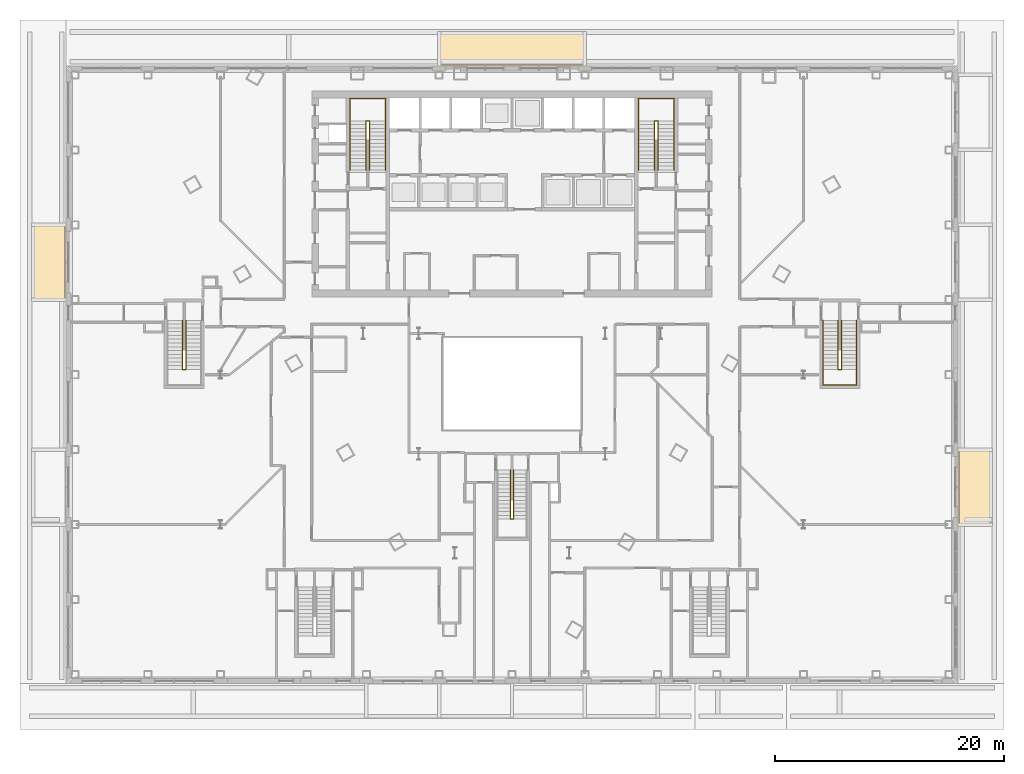
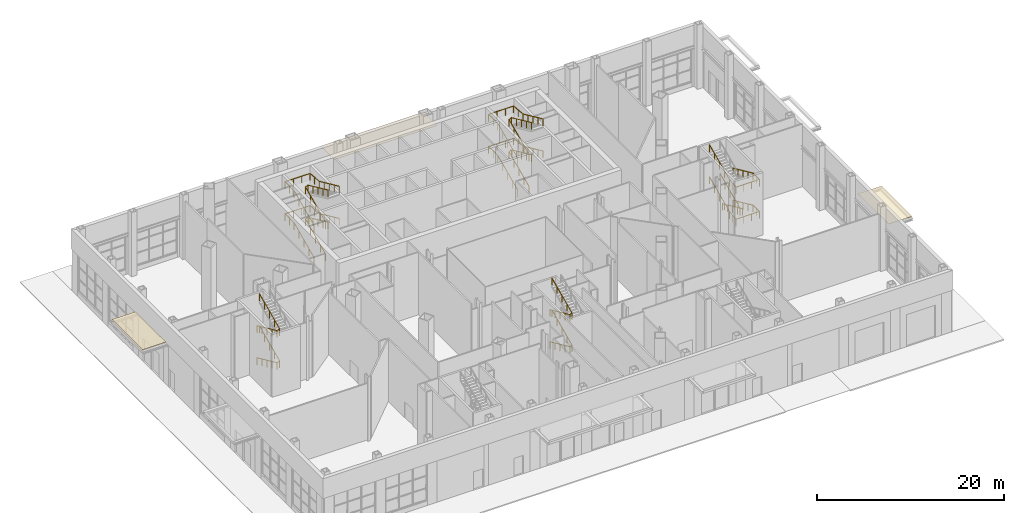
# One storey, part 32 of 34: 15 railings, 3 coverings.
"""IFC4 building model written with IfcOpenShell, lengths in metres."""

import ifcopenshell
import ifcopenshell.guid

model = None  # the IFC model being written
_history = None  # IfcOwnerHistory: only IFC2X3 demands one
_inside = {}  # id of a spatial element -> (the spatial element, [elements in it])
_under = {}  # id of a project, library or spatial element -> (it, [spatial elements below it])
_declared = {}  # id of a project -> (the project, [libraries it declares])
_typed = {}  # id of a type object -> (the type object, [elements of that type])
_made_of = {}  # id of a material, layer set ... -> (it, [elements and type objects made of it])


def new_model(schema):
    """Start an empty IFC model of exactly this schema.

    Asked for "IFC4X3", IfcOpenShell would pick the latest addendum, in which some entities
    have other attributes; the version numbers below select the first issue.
    IFC2X3 requires an IfcOwnerHistory on every rooted entity: one is made here for all.
    """
    global model, _history
    if schema == "IFC4X3":
        model = ifcopenshell.file(schema_version=(4, 3, 0, 0))
    else:
        model = ifcopenshell.file(schema=schema)
    _inside.clear()
    _under.clear()
    _declared.clear()
    _typed.clear()
    _made_of.clear()
    _history = None
    if model.schema == "IFC2X3":
        org = make("IfcOrganization", Name="unknown")
        user = make(
            "IfcPersonAndOrganization",
            ThePerson=make("IfcPerson", FamilyName="unknown"),
            TheOrganization=org,
        )
        app = make(
            "IfcApplication",
            ApplicationDeveloper=org,
            Version="unknown",
            ApplicationFullName="unknown",
            ApplicationIdentifier="unknown",
        )
        _history = make(
            "IfcOwnerHistory",
            OwningUser=user,
            OwningApplication=app,
            ChangeAction="ADDED",
            CreationDate=0,
        )
    return model


def make(cls, **values):
    """One entity of the class cls with the attributes given. An attribute that is None is left unset."""
    return model.create_entity(
        cls, **{name: value for name, value in values.items() if value is not None}
    )


def rooted(cls, **values):
    """An entity with a GlobalId (a new one), such as an element, a storey or a relation."""
    return make(cls, GlobalId=ifcopenshell.guid.new(), OwnerHistory=_history, **values)


def si_unit(unit_type, name, prefix=None):
    """IfcSIUnit, for example si_unit("LENGTHUNIT", "METRE", prefix="MILLI")."""
    return make("IfcSIUnit", UnitType=unit_type, Prefix=prefix, Name=name)


def assignment(units):
    """IfcUnitAssignment: the units of a project."""
    return None if units is None else make("IfcUnitAssignment", Units=units)


def point(xyz):
    """IfcCartesianPoint."""
    return None if xyz is None else make("IfcCartesianPoint", Coordinates=xyz)


def direction(xyz):
    """IfcDirection."""
    return None if xyz is None else make("IfcDirection", DirectionRatios=xyz)


def frame(location, z_axis=None, x_axis=None):
    """IfcAxis2Placement3D, a coordinate frame: its origin and axes. An axis left out is left unset."""
    return make(
        "IfcAxis2Placement3D",
        Location=point(location),
        Axis=direction(z_axis),
        RefDirection=direction(x_axis),
    )


def frame_2d(location, x_axis=None):
    """IfcAxis2Placement2D, a coordinate frame in the plane: its origin and x axis."""
    return make(
        "IfcAxis2Placement2D", Location=point(location), RefDirection=direction(x_axis)
    )


def origin():
    """The frame at (0, 0, 0) with its axes left unset."""
    return frame((0.0, 0.0, 0.0))


def origin_2d():
    """The frame at (0, 0) in the plane with its x axis left unset."""
    return frame_2d((0.0, 0.0))


def place(relative_to, where):
    """IfcLocalPlacement: puts the frame where relative to a parent placement (None: the world)."""
    return make(
        "IfcLocalPlacement", PlacementRelTo=relative_to, RelativePlacement=where
    )


def context(
    kind, dimensions, precision=None, world=None, true_north=None, identifier=None
):
    """IfcGeometricRepresentationContext, for example the 3D "Model" context."""
    return make(
        "IfcGeometricRepresentationContext",
        ContextIdentifier=identifier,
        ContextType=kind,
        CoordinateSpaceDimension=dimensions,
        Precision=precision,
        WorldCoordinateSystem=world,
        TrueNorth=true_north,
    )


def subcontext(parent, identifier, kind, view, scale=None):
    """IfcGeometricRepresentationSubContext, for example "Body" below "Model"."""
    return make(
        "IfcGeometricRepresentationSubContext",
        ContextIdentifier=identifier,
        ContextType=kind,
        ParentContext=parent,
        TargetScale=scale,
        TargetView=view,
    )


def project(units=None, contexts=None):
    """IfcProject with its units and contexts."""
    return rooted(
        "IfcProject",
        Name="project",
        RepresentationContexts=contexts,
        UnitsInContext=assignment(units),
    )


def spatial(cls, under=None, at=None, **own):
    """A site, building, storey or space (cls), placed at a placement, below another one or the project."""
    s = rooted(cls, ObjectPlacement=at, **own)
    if under is not None:
        _under.setdefault(under.id(), (under, []))[1].append(s)
    return s


def polyline(points):
    """IfcPolyline through the points."""
    return make("IfcPolyline", Points=[point(p) for p in points])


def profile(cls, at=None, kind="AREA", **sizes):
    """A parametric profile (cls). Its sizes go by their IFC names, for example OverallWidth=200.0."""
    return make(cls, ProfileType=kind, Position=at, **sizes)


def circle(**sizes):
    """IfcCircleProfileDef."""
    return profile("IfcCircleProfileDef", **sizes)


def outline(outer, holes=None, kind="AREA"):
    """IfcArbitraryClosedProfileDef: a profile drawn as a closed curve; with holes, ...WithVoids."""
    if holes is None:
        return make("IfcArbitraryClosedProfileDef", ProfileType=kind, OuterCurve=outer)
    return make(
        "IfcArbitraryProfileDefWithVoids",
        ProfileType=kind,
        OuterCurve=outer,
        InnerCurves=holes,
    )


def extrude(swept, where, along, depth):
    """IfcExtrudedAreaSolid: the profile swept, set in the frame where, extruded along a direction by depth."""
    return make(
        "IfcExtrudedAreaSolid",
        SweptArea=swept,
        Position=where,
        ExtrudedDirection=direction(along),
        Depth=depth,
    )


def shape(context_of_items, identifier, shape_type, items):
    """IfcShapeRepresentation: the items that make up one representation, for example the "Body"."""
    return make(
        "IfcShapeRepresentation",
        ContextOfItems=context_of_items,
        RepresentationIdentifier=identifier,
        RepresentationType=shape_type,
        Items=items,
    )


def material(Name=None, Category=None):
    """IfcMaterial."""
    return make("IfcMaterial", Name=Name, Category=Category)


def layer(
    of_material, thickness, ventilated=None, Name=None, Category=None, Priority=None
):
    """IfcMaterialLayer: one layer of a wall or slab, of a material (None: an air gap)."""
    return make(
        "IfcMaterialLayer",
        Material=of_material,
        LayerThickness=thickness,
        IsVentilated=ventilated,
        Name=Name,
        Category=Category,
        Priority=Priority,
    )


def layer_set(layers, Name=None):
    """IfcMaterialLayerSet."""
    return make("IfcMaterialLayerSet", MaterialLayers=layers, LayerSetName=Name)


def made_of(thing, what):
    """Note that an element or type object is made of a material, layer set ...; save() writes the relation."""
    if what is not None:
        _made_of.setdefault(what.id(), (what, []))[1].append(thing)
    return thing


def type_object(cls, material=None, **own):
    """A type object (cls), such as IfcWallType, which elements share."""
    return made_of(rooted(cls, **own), material)


def element(
    cls,
    number,
    at=None,
    inside=None,
    cuts=None,
    type_object=None,
    material=None,
    context=None,
    identifier="Body",
    shape_type=None,
    held_by="IfcProductDefinitionShape",
    body=None,
    shapes=None,
    **own,
):
    """One element of the class cls, such as IfcWall. Its Tag is "e" and its number.

    at: its placement. inside: the storey or other place that contains it. cuts: it is an
    opening in that element (IfcRelVoidsElement). A single representation is given by context,
    identifier, shape_type and body (its items); several are given by shapes. held_by: the class
    of the entity that holds the representations. save() writes the other relations.
    """
    e = rooted(cls, Tag="e%d" % number, ObjectPlacement=at, **own)
    if body is not None:
        shapes = [shape(context, identifier, shape_type, body)]
    if shapes is not None:
        e.Representation = make(held_by, Representations=shapes)
    if inside is not None:
        _inside.setdefault(inside.id(), (inside, []))[1].append(e)
    if cuts is not None:
        rooted(
            "IfcRelVoidsElement", RelatingBuildingElement=cuts, RelatedOpeningElement=e
        )
    if type_object is not None:
        _typed.setdefault(type_object.id(), (type_object, []))[1].append(e)
    return made_of(e, material)


def aggregate(whole, parts):
    """IfcRelAggregates: a whole, such as a stair, and the parts it consists of."""
    return rooted("IfcRelAggregates", RelatingObject=whole, RelatedObjects=parts)


def save(model, path):
    """Write the relations noted so far, then the file.

    IfcRelAggregates (storeys below a building ...), IfcRelContainedInSpatialStructure (elements
    in a storey), IfcRelDefinesByType, IfcRelAssociatesMaterial and IfcRelDeclares: one each for
    every whole, place, type object, material and project.
    """
    for whole, parts in _under.values():
        aggregate(whole, parts)
    for where, things in _inside.values():
        rooted(
            "IfcRelContainedInSpatialStructure",
            RelatedElements=things,
            RelatingStructure=where,
        )
    for kind, things in _typed.values():
        rooted("IfcRelDefinesByType", RelatedObjects=things, RelatingType=kind)
    for what, things in _made_of.values():
        rooted("IfcRelAssociatesMaterial", RelatedObjects=things, RelatingMaterial=what)
    for by, libraries in _declared.values():
        rooted("IfcRelDeclares", RelatingContext=by, RelatedDefinitions=libraries)
    model.write(path)


model = new_model("IFC4")

# Units and contexts
model_context = context("Model", 3, precision=1e-05, world=origin(), true_north=direction((0.0, 1.0)))
body_context = subcontext(model_context, "Body", "Model", "MODEL_VIEW")
ifc_project = project(units=[si_unit("LENGTHUNIT", "METRE"), si_unit("AREAUNIT", "SQUARE_METRE"), si_unit("VOLUMEUNIT", "CUBIC_METRE"), si_unit("PLANEANGLEUNIT", "RADIAN"), si_unit("MASSUNIT", "GRAM", prefix="KILO")], contexts=[model_context])

# Site, building, storey
site_placement = place(None, origin())
site = spatial("IfcSite", under=ifc_project, at=site_placement, CompositionType="ELEMENT")
building_placement = place(site_placement, origin())
building = spatial("IfcBuilding", under=site, at=building_placement, Name="Njiva Tower", CompositionType="ELEMENT")
storey_placement = place(building_placement, origin())
storey = spatial("IfcBuildingStorey", under=building, at=storey_placement, Name="L00", CompositionType="ELEMENT", Elevation=0.0)

# Coverings
ifc_material_1 = material(Name="Roofing membrane and ballast", Category="membrane")
ifc_layer = layer(ifc_material_1, 0.05)
ifc_layer_set = layer_set([ifc_layer], Name="Roofing membrane and ballast")
covering_type = type_object("IfcCoveringType", Name="RF90 Canopy roof finish 50", PredefinedType="ROOFING", material=ifc_layer_set)
covering_1_placement = place(storey_placement, frame((0.0, 0.0, 5.55)))
element("IfcCovering", 1, at=covering_1_placement, inside=storey, type_object=covering_type, Name="Canopy roof finish", PredefinedType="ROOFING", context=body_context, shape_type="SweptSolid", body=[
    extrude(outline(polyline([(39.05, -19.9), (39.05, -13.35), (41.95, -13.35), (41.95, -19.9), (39.05, -19.9)])), origin(), (0.0, 0.0, 1.0), 0.05),
])
covering_2_placement = place(storey_placement, frame((0.0, 0.0, 5.55)))
element("IfcCovering", 2, at=covering_2_placement, inside=storey, type_object=covering_type, Name="Canopy roof finish", PredefinedType="ROOFING", context=body_context, shape_type="SweptSolid", body=[
    extrude(outline(polyline([(6.3667, 20.25), (-6.3667, 20.25), (-6.3667, 23.15), (6.3667, 23.15), (6.3667, 20.25)])), origin(), (0.0, 0.0, 1.0), 0.05),
])
covering_3_placement = place(storey_placement, frame((0.0, 0.0, 5.55)))
element("IfcCovering", 3, at=covering_3_placement, inside=storey, type_object=covering_type, Name="Canopy roof finish", PredefinedType="ROOFING", context=body_context, shape_type="SweptSolid", body=[
    extrude(outline(polyline([(-39.05, 6.3), (-39.05, -0.25), (-41.95, -0.25), (-41.95, 6.3), (-39.05, 6.3)])), origin(), (0.0, 0.0, 1.0), 0.05),
])

# Railings
ifc_material_2 = material(Name="Stainless steel", Category="steel")
railing_type = type_object("IfcRailingType", Name="RL1 Stair handrail 900", PredefinedType="HANDRAIL", material=ifc_material_2)
railing_1_placement = place(storey_placement, frame((-14.15, 11.1, 0.15)))
element("IfcRailing", 4, at=railing_1_placement, inside=storey, type_object=railing_type, Name="Stair A handrail", PredefinedType="HANDRAIL", context=body_context, shape_type="SweptSolid", body=[
    extrude(circle(Radius=0.024, at=origin_2d()), frame((0.0, 0.0, 0.876), z_axis=(0.0, 0.910366477463, 0.413802944301), x_axis=(-1.0, 0.0, 0.0)), (0.0, 0.0, 1.0), 4.7124),
    extrude(circle(Radius=0.024, at=origin_2d()), frame((0.0, 4.29, 2.826), z_axis=(0.0, 1.0, 0.0), x_axis=(-1.0, 0.0, 0.0)), (0.0, 0.0, 1.0), 1.96),
    extrude(circle(Radius=0.024, at=origin_2d()), frame((0.0, 6.25, 2.826), z_axis=(1.0, 0.0, 0.0), x_axis=(0.0, 1.0, 0.0)), (0.0, 0.0, 1.0), 3.1),
    extrude(circle(Radius=0.024, at=origin_2d()), frame((3.1, 6.25, 2.826), z_axis=(0.0, -0.99708433411, 0.076307474549), x_axis=(1.0, 0.0, 0.0)), (0.0, 0.0, 1.0), 1.9657),
    extrude(circle(Radius=0.024, at=origin_2d()), frame((3.1, 4.29, 2.976), z_axis=(0.0, -0.910366477463, 0.413802944301), x_axis=(1.0, 0.0, 0.0)), (0.0, 0.0, 1.0), 4.7124),
    extrude(circle(Radius=0.021, at=origin_2d()), origin(), (0.0, 0.0, 1.0), 0.852),
    extrude(circle(Radius=0.021, at=origin_2d()), frame((0.0, 1.0725, 0.4875)), (0.0, 0.0, 1.0), 0.852),
    extrude(circle(Radius=0.021, at=origin_2d()), frame((0.0, 2.145, 0.975)), (0.0, 0.0, 1.0), 0.852),
    extrude(circle(Radius=0.021, at=origin_2d()), frame((0.0, 3.2175, 1.4625)), (0.0, 0.0, 1.0), 0.852),
    extrude(circle(Radius=0.021, at=origin_2d()), frame((0.0, 4.29, 1.95)), (0.0, 0.0, 1.0), 0.852),
    extrude(circle(Radius=0.021, at=origin_2d()), frame((0.0, 5.27, 1.95)), (0.0, 0.0, 1.0), 0.852),
    extrude(circle(Radius=0.021, at=origin_2d()), frame((0.0, 6.25, 1.95)), (0.0, 0.0, 1.0), 0.852),
    extrude(circle(Radius=0.021, at=origin_2d()), frame((1.0333, 6.25, 1.95)), (0.0, 0.0, 1.0), 0.852),
    extrude(circle(Radius=0.021, at=origin_2d()), frame((2.0667, 6.25, 1.95)), (0.0, 0.0, 1.0), 0.852),
    extrude(circle(Radius=0.021, at=origin_2d()), frame((3.1, 6.25, 1.95)), (0.0, 0.0, 1.0), 0.852),
    extrude(circle(Radius=0.021, at=origin_2d()), frame((3.1, 5.27, 2.025)), (0.0, 0.0, 1.0), 0.852),
    extrude(circle(Radius=0.021, at=origin_2d()), frame((3.1, 4.29, 2.1)), (0.0, 0.0, 1.0), 0.852),
    extrude(circle(Radius=0.021, at=origin_2d()), frame((3.1, 3.2175, 2.5875)), (0.0, 0.0, 1.0), 0.852),
    extrude(circle(Radius=0.021, at=origin_2d()), frame((3.1, 2.145, 3.075)), (0.0, 0.0, 1.0), 0.852),
    extrude(circle(Radius=0.021, at=origin_2d()), frame((3.1, 1.0725, 3.5625)), (0.0, 0.0, 1.0), 0.852),
    extrude(circle(Radius=0.021, at=origin_2d()), frame((3.1, 0.0, 4.05)), (0.0, 0.0, 1.0), 0.852),
])
railing_2_placement = place(storey_placement, frame((-12.75, 11.1, 0.15)))
element("IfcRailing", 5, at=railing_2_placement, inside=storey, type_object=railing_type, Name="Stair A handrail", PredefinedType="HANDRAIL", context=body_context, shape_type="SweptSolid", body=[
    extrude(circle(Radius=0.024, at=origin_2d()), frame((0.0, 0.0, 0.876), z_axis=(0.0, 0.910366477463, 0.413802944301), x_axis=(-1.0, 0.0, 0.0)), (0.0, 0.0, 1.0), 4.7124),
    extrude(circle(Radius=0.024, at=origin_2d()), frame((0.0, 4.29, 2.826), z_axis=(0.894427191, 0.0, 0.4472135955), x_axis=(0.0, 1.0, 0.0)), (0.0, 0.0, 1.0), 0.3354),
    extrude(circle(Radius=0.024, at=origin_2d()), frame((0.3, 4.29, 2.976), z_axis=(0.0, -0.910366477463, 0.413802944301), x_axis=(1.0, 0.0, 0.0)), (0.0, 0.0, 1.0), 4.7124),
    extrude(circle(Radius=0.021, at=origin_2d()), origin(), (0.0, 0.0, 1.0), 0.852),
    extrude(circle(Radius=0.021, at=origin_2d()), frame((0.0, 1.0725, 0.4875)), (0.0, 0.0, 1.0), 0.852),
    extrude(circle(Radius=0.021, at=origin_2d()), frame((0.0, 2.145, 0.975)), (0.0, 0.0, 1.0), 0.852),
    extrude(circle(Radius=0.021, at=origin_2d()), frame((0.0, 3.2175, 1.4625)), (0.0, 0.0, 1.0), 0.852),
    extrude(circle(Radius=0.021, at=origin_2d()), frame((0.0, 4.29, 1.95)), (0.0, 0.0, 1.0), 0.852),
    extrude(circle(Radius=0.021, at=origin_2d()), frame((0.3, 4.29, 2.1)), (0.0, 0.0, 1.0), 0.852),
    extrude(circle(Radius=0.021, at=origin_2d()), frame((0.3, 3.2175, 2.5875)), (0.0, 0.0, 1.0), 0.852),
    extrude(circle(Radius=0.021, at=origin_2d()), frame((0.3, 2.145, 3.075)), (0.0, 0.0, 1.0), 0.852),
    extrude(circle(Radius=0.021, at=origin_2d()), frame((0.3, 1.0725, 3.5625)), (0.0, 0.0, 1.0), 0.852),
    extrude(circle(Radius=0.021, at=origin_2d()), frame((0.3, 0.0, 4.05)), (0.0, 0.0, 1.0), 0.852),
])
railing_3_placement = place(storey_placement, frame((-14.15, 11.1, 4.35)))
element("IfcRailing", 6, at=railing_3_placement, inside=storey, type_object=railing_type, Name="Stair A handrail", PredefinedType="HANDRAIL", context=body_context, shape_type="SweptSolid", body=[
    extrude(circle(Radius=0.024, at=origin_2d()), frame((0.0, 0.0, 0.876), z_axis=(0.0, 0.910366477463, 0.413802944301), x_axis=(-1.0, 0.0, 0.0)), (0.0, 0.0, 1.0), 4.7124),
    extrude(circle(Radius=0.024, at=origin_2d()), frame((0.0, 4.29, 2.826), z_axis=(0.0, 1.0, 0.0), x_axis=(-1.0, 0.0, 0.0)), (0.0, 0.0, 1.0), 1.96),
    extrude(circle(Radius=0.024, at=origin_2d()), frame((0.0, 6.25, 2.826), z_axis=(1.0, 0.0, 0.0), x_axis=(0.0, 1.0, 0.0)), (0.0, 0.0, 1.0), 3.1),
    extrude(circle(Radius=0.024, at=origin_2d()), frame((3.1, 6.25, 2.826), z_axis=(0.0, -0.99708433411, 0.076307474549), x_axis=(1.0, 0.0, 0.0)), (0.0, 0.0, 1.0), 1.9657),
    extrude(circle(Radius=0.024, at=origin_2d()), frame((3.1, 4.29, 2.976), z_axis=(0.0, -0.910366477463, 0.413802944301), x_axis=(1.0, 0.0, 0.0)), (0.0, 0.0, 1.0), 4.7124),
    extrude(circle(Radius=0.021, at=origin_2d()), origin(), (0.0, 0.0, 1.0), 0.852),
    extrude(circle(Radius=0.021, at=origin_2d()), frame((0.0, 1.0725, 0.4875)), (0.0, 0.0, 1.0), 0.852),
    extrude(circle(Radius=0.021, at=origin_2d()), frame((0.0, 2.145, 0.975)), (0.0, 0.0, 1.0), 0.852),
    extrude(circle(Radius=0.021, at=origin_2d()), frame((0.0, 3.2175, 1.4625)), (0.0, 0.0, 1.0), 0.852),
    extrude(circle(Radius=0.021, at=origin_2d()), frame((0.0, 4.29, 1.95)), (0.0, 0.0, 1.0), 0.852),
    extrude(circle(Radius=0.021, at=origin_2d()), frame((0.0, 5.27, 1.95)), (0.0, 0.0, 1.0), 0.852),
    extrude(circle(Radius=0.021, at=origin_2d()), frame((0.0, 6.25, 1.95)), (0.0, 0.0, 1.0), 0.852),
    extrude(circle(Radius=0.021, at=origin_2d()), frame((1.0333, 6.25, 1.95)), (0.0, 0.0, 1.0), 0.852),
    extrude(circle(Radius=0.021, at=origin_2d()), frame((2.0667, 6.25, 1.95)), (0.0, 0.0, 1.0), 0.852),
    extrude(circle(Radius=0.021, at=origin_2d()), frame((3.1, 6.25, 1.95)), (0.0, 0.0, 1.0), 0.852),
    extrude(circle(Radius=0.021, at=origin_2d()), frame((3.1, 5.27, 2.025)), (0.0, 0.0, 1.0), 0.852),
    extrude(circle(Radius=0.021, at=origin_2d()), frame((3.1, 4.29, 2.1)), (0.0, 0.0, 1.0), 0.852),
    extrude(circle(Radius=0.021, at=origin_2d()), frame((3.1, 3.2175, 2.5875)), (0.0, 0.0, 1.0), 0.852),
    extrude(circle(Radius=0.021, at=origin_2d()), frame((3.1, 2.145, 3.075)), (0.0, 0.0, 1.0), 0.852),
    extrude(circle(Radius=0.021, at=origin_2d()), frame((3.1, 1.0725, 3.5625)), (0.0, 0.0, 1.0), 0.852),
    extrude(circle(Radius=0.021, at=origin_2d()), frame((3.1, 0.0, 4.05)), (0.0, 0.0, 1.0), 0.852),
])
railing_4_placement = place(storey_placement, frame((-12.75, 11.1, 4.35)))
element("IfcRailing", 7, at=railing_4_placement, inside=storey, type_object=railing_type, Name="Stair A handrail", PredefinedType="HANDRAIL", context=body_context, shape_type="SweptSolid", body=[
    extrude(circle(Radius=0.024, at=origin_2d()), frame((0.0, 0.0, 0.876), z_axis=(0.0, 0.910366477463, 0.413802944301), x_axis=(-1.0, 0.0, 0.0)), (0.0, 0.0, 1.0), 4.7124),
    extrude(circle(Radius=0.024, at=origin_2d()), frame((0.0, 4.29, 2.826), z_axis=(0.894427191, 0.0, 0.4472135955), x_axis=(0.0, 1.0, 0.0)), (0.0, 0.0, 1.0), 0.3354),
    extrude(circle(Radius=0.024, at=origin_2d()), frame((0.3, 4.29, 2.976), z_axis=(0.0, -0.910366477463, 0.413802944301), x_axis=(1.0, 0.0, 0.0)), (0.0, 0.0, 1.0), 4.7124),
    extrude(circle(Radius=0.021, at=origin_2d()), origin(), (0.0, 0.0, 1.0), 0.852),
    extrude(circle(Radius=0.021, at=origin_2d()), frame((0.0, 1.0725, 0.4875)), (0.0, 0.0, 1.0), 0.852),
    extrude(circle(Radius=0.021, at=origin_2d()), frame((0.0, 2.145, 0.975)), (0.0, 0.0, 1.0), 0.852),
    extrude(circle(Radius=0.021, at=origin_2d()), frame((0.0, 3.2175, 1.4625)), (0.0, 0.0, 1.0), 0.852),
    extrude(circle(Radius=0.021, at=origin_2d()), frame((0.0, 4.29, 1.95)), (0.0, 0.0, 1.0), 0.852),
    extrude(circle(Radius=0.021, at=origin_2d()), frame((0.3, 4.29, 2.1)), (0.0, 0.0, 1.0), 0.852),
    extrude(circle(Radius=0.021, at=origin_2d()), frame((0.3, 3.2175, 2.5875)), (0.0, 0.0, 1.0), 0.852),
    extrude(circle(Radius=0.021, at=origin_2d()), frame((0.3, 2.145, 3.075)), (0.0, 0.0, 1.0), 0.852),
    extrude(circle(Radius=0.021, at=origin_2d()), frame((0.3, 1.0725, 3.5625)), (0.0, 0.0, 1.0), 0.852),
    extrude(circle(Radius=0.021, at=origin_2d()), frame((0.3, 0.0, 4.05)), (0.0, 0.0, 1.0), 0.852),
])
railing_5_placement = place(storey_placement, frame((11.05, 11.1, 0.15)))
element("IfcRailing", 8, at=railing_5_placement, inside=storey, type_object=railing_type, Name="Stair B handrail", PredefinedType="HANDRAIL", context=body_context, shape_type="SweptSolid", body=[
    extrude(circle(Radius=0.024, at=origin_2d()), frame((0.0, 0.0, 0.876), z_axis=(0.0, 0.910366477463, 0.413802944301), x_axis=(-1.0, 0.0, 0.0)), (0.0, 0.0, 1.0), 4.7124),
    extrude(circle(Radius=0.024, at=origin_2d()), frame((0.0, 4.29, 2.826), z_axis=(0.0, 1.0, 0.0), x_axis=(-1.0, 0.0, 0.0)), (0.0, 0.0, 1.0), 1.96),
    extrude(circle(Radius=0.024, at=origin_2d()), frame((0.0, 6.25, 2.826), z_axis=(1.0, 0.0, 0.0), x_axis=(0.0, 1.0, 0.0)), (0.0, 0.0, 1.0), 3.1),
    extrude(circle(Radius=0.024, at=origin_2d()), frame((3.1, 6.25, 2.826), z_axis=(0.0, -0.99708433411, 0.076307474549), x_axis=(1.0, 0.0, 0.0)), (0.0, 0.0, 1.0), 1.9657),
    extrude(circle(Radius=0.024, at=origin_2d()), frame((3.1, 4.29, 2.976), z_axis=(0.0, -0.910366477463, 0.413802944301), x_axis=(1.0, 0.0, 0.0)), (0.0, 0.0, 1.0), 4.7124),
    extrude(circle(Radius=0.021, at=origin_2d()), origin(), (0.0, 0.0, 1.0), 0.852),
    extrude(circle(Radius=0.021, at=origin_2d()), frame((0.0, 1.0725, 0.4875)), (0.0, 0.0, 1.0), 0.852),
    extrude(circle(Radius=0.021, at=origin_2d()), frame((0.0, 2.145, 0.975)), (0.0, 0.0, 1.0), 0.852),
    extrude(circle(Radius=0.021, at=origin_2d()), frame((0.0, 3.2175, 1.4625)), (0.0, 0.0, 1.0), 0.852),
    extrude(circle(Radius=0.021, at=origin_2d()), frame((0.0, 4.29, 1.95)), (0.0, 0.0, 1.0), 0.852),
    extrude(circle(Radius=0.021, at=origin_2d()), frame((0.0, 5.27, 1.95)), (0.0, 0.0, 1.0), 0.852),
    extrude(circle(Radius=0.021, at=origin_2d()), frame((0.0, 6.25, 1.95)), (0.0, 0.0, 1.0), 0.852),
    extrude(circle(Radius=0.021, at=origin_2d()), frame((1.0333, 6.25, 1.95)), (0.0, 0.0, 1.0), 0.852),
    extrude(circle(Radius=0.021, at=origin_2d()), frame((2.0667, 6.25, 1.95)), (0.0, 0.0, 1.0), 0.852),
    extrude(circle(Radius=0.021, at=origin_2d()), frame((3.1, 6.25, 1.95)), (0.0, 0.0, 1.0), 0.852),
    extrude(circle(Radius=0.021, at=origin_2d()), frame((3.1, 5.27, 2.025)), (0.0, 0.0, 1.0), 0.852),
    extrude(circle(Radius=0.021, at=origin_2d()), frame((3.1, 4.29, 2.1)), (0.0, 0.0, 1.0), 0.852),
    extrude(circle(Radius=0.021, at=origin_2d()), frame((3.1, 3.2175, 2.5875)), (0.0, 0.0, 1.0), 0.852),
    extrude(circle(Radius=0.021, at=origin_2d()), frame((3.1, 2.145, 3.075)), (0.0, 0.0, 1.0), 0.852),
    extrude(circle(Radius=0.021, at=origin_2d()), frame((3.1, 1.0725, 3.5625)), (0.0, 0.0, 1.0), 0.852),
    extrude(circle(Radius=0.021, at=origin_2d()), frame((3.1, 0.0, 4.05)), (0.0, 0.0, 1.0), 0.852),
])
railing_6_placement = place(storey_placement, frame((12.45, 11.1, 0.15)))
element("IfcRailing", 9, at=railing_6_placement, inside=storey, type_object=railing_type, Name="Stair B handrail", PredefinedType="HANDRAIL", context=body_context, shape_type="SweptSolid", body=[
    extrude(circle(Radius=0.024, at=origin_2d()), frame((0.0, 0.0, 0.876), z_axis=(0.0, 0.910366477463, 0.413802944301), x_axis=(-1.0, 0.0, 0.0)), (0.0, 0.0, 1.0), 4.7124),
    extrude(circle(Radius=0.024, at=origin_2d()), frame((0.0, 4.29, 2.826), z_axis=(0.894427191, 0.0, 0.4472135955), x_axis=(0.0, 1.0, 0.0)), (0.0, 0.0, 1.0), 0.3354),
    extrude(circle(Radius=0.024, at=origin_2d()), frame((0.3, 4.29, 2.976), z_axis=(0.0, -0.910366477463, 0.413802944301), x_axis=(1.0, 0.0, 0.0)), (0.0, 0.0, 1.0), 4.7124),
    extrude(circle(Radius=0.021, at=origin_2d()), origin(), (0.0, 0.0, 1.0), 0.852),
    extrude(circle(Radius=0.021, at=origin_2d()), frame((0.0, 1.0725, 0.4875)), (0.0, 0.0, 1.0), 0.852),
    extrude(circle(Radius=0.021, at=origin_2d()), frame((0.0, 2.145, 0.975)), (0.0, 0.0, 1.0), 0.852),
    extrude(circle(Radius=0.021, at=origin_2d()), frame((0.0, 3.2175, 1.4625)), (0.0, 0.0, 1.0), 0.852),
    extrude(circle(Radius=0.021, at=origin_2d()), frame((0.0, 4.29, 1.95)), (0.0, 0.0, 1.0), 0.852),
    extrude(circle(Radius=0.021, at=origin_2d()), frame((0.3, 4.29, 2.1)), (0.0, 0.0, 1.0), 0.852),
    extrude(circle(Radius=0.021, at=origin_2d()), frame((0.3, 3.2175, 2.5875)), (0.0, 0.0, 1.0), 0.852),
    extrude(circle(Radius=0.021, at=origin_2d()), frame((0.3, 2.145, 3.075)), (0.0, 0.0, 1.0), 0.852),
    extrude(circle(Radius=0.021, at=origin_2d()), frame((0.3, 1.0725, 3.5625)), (0.0, 0.0, 1.0), 0.852),
    extrude(circle(Radius=0.021, at=origin_2d()), frame((0.3, 0.0, 4.05)), (0.0, 0.0, 1.0), 0.852),
])
railing_7_placement = place(storey_placement, frame((11.05, 11.1, 4.35)))
element("IfcRailing", 10, at=railing_7_placement, inside=storey, type_object=railing_type, Name="Stair B handrail", PredefinedType="HANDRAIL", context=body_context, shape_type="SweptSolid", body=[
    extrude(circle(Radius=0.024, at=origin_2d()), frame((0.0, 0.0, 0.876), z_axis=(0.0, 0.910366477463, 0.413802944301), x_axis=(-1.0, 0.0, 0.0)), (0.0, 0.0, 1.0), 4.7124),
    extrude(circle(Radius=0.024, at=origin_2d()), frame((0.0, 4.29, 2.826), z_axis=(0.0, 1.0, 0.0), x_axis=(-1.0, 0.0, 0.0)), (0.0, 0.0, 1.0), 1.96),
    extrude(circle(Radius=0.024, at=origin_2d()), frame((0.0, 6.25, 2.826), z_axis=(1.0, 0.0, 0.0), x_axis=(0.0, 1.0, 0.0)), (0.0, 0.0, 1.0), 3.1),
    extrude(circle(Radius=0.024, at=origin_2d()), frame((3.1, 6.25, 2.826), z_axis=(0.0, -0.99708433411, 0.076307474549), x_axis=(1.0, 0.0, 0.0)), (0.0, 0.0, 1.0), 1.9657),
    extrude(circle(Radius=0.024, at=origin_2d()), frame((3.1, 4.29, 2.976), z_axis=(0.0, -0.910366477463, 0.413802944301), x_axis=(1.0, 0.0, 0.0)), (0.0, 0.0, 1.0), 4.7124),
    extrude(circle(Radius=0.021, at=origin_2d()), origin(), (0.0, 0.0, 1.0), 0.852),
    extrude(circle(Radius=0.021, at=origin_2d()), frame((0.0, 1.0725, 0.4875)), (0.0, 0.0, 1.0), 0.852),
    extrude(circle(Radius=0.021, at=origin_2d()), frame((0.0, 2.145, 0.975)), (0.0, 0.0, 1.0), 0.852),
    extrude(circle(Radius=0.021, at=origin_2d()), frame((0.0, 3.2175, 1.4625)), (0.0, 0.0, 1.0), 0.852),
    extrude(circle(Radius=0.021, at=origin_2d()), frame((0.0, 4.29, 1.95)), (0.0, 0.0, 1.0), 0.852),
    extrude(circle(Radius=0.021, at=origin_2d()), frame((0.0, 5.27, 1.95)), (0.0, 0.0, 1.0), 0.852),
    extrude(circle(Radius=0.021, at=origin_2d()), frame((0.0, 6.25, 1.95)), (0.0, 0.0, 1.0), 0.852),
    extrude(circle(Radius=0.021, at=origin_2d()), frame((1.0333, 6.25, 1.95)), (0.0, 0.0, 1.0), 0.852),
    extrude(circle(Radius=0.021, at=origin_2d()), frame((2.0667, 6.25, 1.95)), (0.0, 0.0, 1.0), 0.852),
    extrude(circle(Radius=0.021, at=origin_2d()), frame((3.1, 6.25, 1.95)), (0.0, 0.0, 1.0), 0.852),
    extrude(circle(Radius=0.021, at=origin_2d()), frame((3.1, 5.27, 2.025)), (0.0, 0.0, 1.0), 0.852),
    extrude(circle(Radius=0.021, at=origin_2d()), frame((3.1, 4.29, 2.1)), (0.0, 0.0, 1.0), 0.852),
    extrude(circle(Radius=0.021, at=origin_2d()), frame((3.1, 3.2175, 2.5875)), (0.0, 0.0, 1.0), 0.852),
    extrude(circle(Radius=0.021, at=origin_2d()), frame((3.1, 2.145, 3.075)), (0.0, 0.0, 1.0), 0.852),
    extrude(circle(Radius=0.021, at=origin_2d()), frame((3.1, 1.0725, 3.5625)), (0.0, 0.0, 1.0), 0.852),
    extrude(circle(Radius=0.021, at=origin_2d()), frame((3.1, 0.0, 4.05)), (0.0, 0.0, 1.0), 0.852),
])
railing_8_placement = place(storey_placement, frame((12.45, 11.1, 4.35)))
element("IfcRailing", 11, at=railing_8_placement, inside=storey, type_object=railing_type, Name="Stair B handrail", PredefinedType="HANDRAIL", context=body_context, shape_type="SweptSolid", body=[
    extrude(circle(Radius=0.024, at=origin_2d()), frame((0.0, 0.0, 0.876), z_axis=(0.0, 0.910366477463, 0.413802944301), x_axis=(-1.0, 0.0, 0.0)), (0.0, 0.0, 1.0), 4.7124),
    extrude(circle(Radius=0.024, at=origin_2d()), frame((0.0, 4.29, 2.826), z_axis=(0.894427191, 0.0, 0.4472135955), x_axis=(0.0, 1.0, 0.0)), (0.0, 0.0, 1.0), 0.3354),
    extrude(circle(Radius=0.024, at=origin_2d()), frame((0.3, 4.29, 2.976), z_axis=(0.0, -0.910366477463, 0.413802944301), x_axis=(1.0, 0.0, 0.0)), (0.0, 0.0, 1.0), 4.7124),
    extrude(circle(Radius=0.021, at=origin_2d()), origin(), (0.0, 0.0, 1.0), 0.852),
    extrude(circle(Radius=0.021, at=origin_2d()), frame((0.0, 1.0725, 0.4875)), (0.0, 0.0, 1.0), 0.852),
    extrude(circle(Radius=0.021, at=origin_2d()), frame((0.0, 2.145, 0.975)), (0.0, 0.0, 1.0), 0.852),
    extrude(circle(Radius=0.021, at=origin_2d()), frame((0.0, 3.2175, 1.4625)), (0.0, 0.0, 1.0), 0.852),
    extrude(circle(Radius=0.021, at=origin_2d()), frame((0.0, 4.29, 1.95)), (0.0, 0.0, 1.0), 0.852),
    extrude(circle(Radius=0.021, at=origin_2d()), frame((0.3, 4.29, 2.1)), (0.0, 0.0, 1.0), 0.852),
    extrude(circle(Radius=0.021, at=origin_2d()), frame((0.3, 3.2175, 2.5875)), (0.0, 0.0, 1.0), 0.852),
    extrude(circle(Radius=0.021, at=origin_2d()), frame((0.3, 2.145, 3.075)), (0.0, 0.0, 1.0), 0.852),
    extrude(circle(Radius=0.021, at=origin_2d()), frame((0.3, 1.0725, 3.5625)), (0.0, 0.0, 1.0), 0.852),
    extrude(circle(Radius=0.021, at=origin_2d()), frame((0.3, 0.0, 4.05)), (0.0, 0.0, 1.0), 0.852),
])
for number, where, name in (
    (12, (-0.125, -15.135, 0.15), "Stair C handrail"),
    (13, (-0.125, -15.135, 4.35), "Stair C handrail"),
):
    element("IfcRailing", number, at=place(storey_placement, frame(where)), inside=storey, type_object=railing_type, Name=name, PredefinedType="HANDRAIL", context=body_context, shape_type="SweptSolid", body=[
        extrude(circle(Radius=0.024, at=origin_2d()), frame((0.0, 0.0, 0.876), z_axis=(0.0, -0.910366477463, 0.413802944301), x_axis=(1.0, 0.0, 0.0)), (0.0, 0.0, 1.0), 4.7124),
        extrude(circle(Radius=0.024, at=origin_2d()), frame((0.0, -4.29, 2.826), z_axis=(0.857492925713, 0.0, 0.514495755428), x_axis=(0.0, 1.0, 0.0)), (0.0, 0.0, 1.0), 0.2915),
        extrude(circle(Radius=0.024, at=origin_2d()), frame((0.25, -4.29, 2.976), z_axis=(0.0, 0.910366477463, 0.413802944301), x_axis=(-1.0, 0.0, 0.0)), (0.0, 0.0, 1.0), 4.7124),
        extrude(circle(Radius=0.021, at=origin_2d()), origin(), (0.0, 0.0, 1.0), 0.852),
        extrude(circle(Radius=0.021, at=origin_2d()), frame((0.0, -1.0725, 0.4875)), (0.0, 0.0, 1.0), 0.852),
        extrude(circle(Radius=0.021, at=origin_2d()), frame((0.0, -2.145, 0.975)), (0.0, 0.0, 1.0), 0.852),
        extrude(circle(Radius=0.021, at=origin_2d()), frame((0.0, -3.2175, 1.4625)), (0.0, 0.0, 1.0), 0.852),
        extrude(circle(Radius=0.021, at=origin_2d()), frame((0.0, -4.29, 1.95)), (0.0, 0.0, 1.0), 0.852),
        extrude(circle(Radius=0.021, at=origin_2d()), frame((0.25, -4.29, 2.1)), (0.0, 0.0, 1.0), 0.852),
        extrude(circle(Radius=0.021, at=origin_2d()), frame((0.25, -3.2175, 2.5875)), (0.0, 0.0, 1.0), 0.852),
        extrude(circle(Radius=0.021, at=origin_2d()), frame((0.25, -2.145, 3.075)), (0.0, 0.0, 1.0), 0.852),
        extrude(circle(Radius=0.021, at=origin_2d()), frame((0.25, -1.0725, 3.5625)), (0.0, 0.0, 1.0), 0.852),
        extrude(circle(Radius=0.021, at=origin_2d()), frame((0.25, 0.0, 4.05)), (0.0, 0.0, 1.0), 0.852),
    ])
for number, where, name in (
    (14, (-28.8, -2.05, 0.15), "Stair F handrail"),
    (15, (-28.8, -2.05, 4.35), "Stair F handrail"),
):
    element("IfcRailing", number, at=place(storey_placement, frame(where)), inside=storey, type_object=railing_type, Name=name, PredefinedType="HANDRAIL", context=body_context, shape_type="SweptSolid", body=[
        extrude(circle(Radius=0.024, at=origin_2d()), frame((0.0, 0.0, 0.876), z_axis=(0.0, -0.910366477463, 0.413802944301), x_axis=(1.0, 0.0, 0.0)), (0.0, 0.0, 1.0), 4.7124),
        extrude(circle(Radius=0.024, at=origin_2d()), frame((0.0, -4.29, 2.826), z_axis=(0.894427191, 0.0, 0.4472135955), x_axis=(0.0, 1.0, 0.0)), (0.0, 0.0, 1.0), 0.3354),
        extrude(circle(Radius=0.024, at=origin_2d()), frame((0.3, -4.29, 2.976), z_axis=(0.0, 0.910366477463, 0.413802944301), x_axis=(-1.0, 0.0, 0.0)), (0.0, 0.0, 1.0), 4.7124),
        extrude(circle(Radius=0.021, at=origin_2d()), origin(), (0.0, 0.0, 1.0), 0.852),
        extrude(circle(Radius=0.021, at=origin_2d()), frame((0.0, -1.0725, 0.4875)), (0.0, 0.0, 1.0), 0.852),
        extrude(circle(Radius=0.021, at=origin_2d()), frame((0.0, -2.145, 0.975)), (0.0, 0.0, 1.0), 0.852),
        extrude(circle(Radius=0.021, at=origin_2d()), frame((0.0, -3.2175, 1.4625)), (0.0, 0.0, 1.0), 0.852),
        extrude(circle(Radius=0.021, at=origin_2d()), frame((0.0, -4.29, 1.95)), (0.0, 0.0, 1.0), 0.852),
        extrude(circle(Radius=0.021, at=origin_2d()), frame((0.3, -4.29, 2.1)), (0.0, 0.0, 1.0), 0.852),
        extrude(circle(Radius=0.021, at=origin_2d()), frame((0.3, -3.2175, 2.5875)), (0.0, 0.0, 1.0), 0.852),
        extrude(circle(Radius=0.021, at=origin_2d()), frame((0.3, -2.145, 3.075)), (0.0, 0.0, 1.0), 0.852),
        extrude(circle(Radius=0.021, at=origin_2d()), frame((0.3, -1.0725, 3.5625)), (0.0, 0.0, 1.0), 0.852),
        extrude(circle(Radius=0.021, at=origin_2d()), frame((0.3, 0.0, 4.05)), (0.0, 0.0, 1.0), 0.852),
    ])
railing_9_placement = place(storey_placement, frame((30.1, -2.05, 0.15)))
element("IfcRailing", 16, at=railing_9_placement, inside=storey, type_object=railing_type, Name="Stair G handrail", PredefinedType="HANDRAIL", context=body_context, shape_type="SweptSolid", body=[
    extrude(circle(Radius=0.024, at=origin_2d()), frame((0.0, 0.0, 0.876), z_axis=(0.0, -0.910366477463, 0.413802944301), x_axis=(1.0, 0.0, 0.0)), (0.0, 0.0, 1.0), 4.7124),
    extrude(circle(Radius=0.024, at=origin_2d()), frame((0.0, -4.29, 2.826), z_axis=(0.0, -1.0, 0.0), x_axis=(1.0, 0.0, 0.0)), (0.0, 0.0, 1.0), 1.36),
    extrude(circle(Radius=0.024, at=origin_2d()), frame((0.0, -5.65, 2.826), z_axis=(-1.0, 0.0, 0.0), x_axis=(0.0, -1.0, 0.0)), (0.0, 0.0, 1.0), 2.9),
    extrude(circle(Radius=0.024, at=origin_2d()), frame((-2.9, -5.65, 2.826), z_axis=(0.0, 0.993972540491, 0.109629324319), x_axis=(-1.0, 0.0, 0.0)), (0.0, 0.0, 1.0), 1.3682),
    extrude(circle(Radius=0.024, at=origin_2d()), frame((-2.9, -4.29, 2.976), z_axis=(0.0, 0.910366477463, 0.413802944301), x_axis=(-1.0, 0.0, 0.0)), (0.0, 0.0, 1.0), 4.7124),
    extrude(circle(Radius=0.021, at=origin_2d()), origin(), (0.0, 0.0, 1.0), 0.852),
    extrude(circle(Radius=0.021, at=origin_2d()), frame((0.0, -1.0725, 0.4875)), (0.0, 0.0, 1.0), 0.852),
    extrude(circle(Radius=0.021, at=origin_2d()), frame((0.0, -2.145, 0.975)), (0.0, 0.0, 1.0), 0.852),
    extrude(circle(Radius=0.021, at=origin_2d()), frame((0.0, -3.2175, 1.4625)), (0.0, 0.0, 1.0), 0.852),
    extrude(circle(Radius=0.021, at=origin_2d()), frame((0.0, -4.29, 1.95)), (0.0, 0.0, 1.0), 0.852),
    extrude(circle(Radius=0.021, at=origin_2d()), frame((0.0, -4.97, 1.95)), (0.0, 0.0, 1.0), 0.852),
    extrude(circle(Radius=0.021, at=origin_2d()), frame((0.0, -5.65, 1.95)), (0.0, 0.0, 1.0), 0.852),
    extrude(circle(Radius=0.021, at=origin_2d()), frame((-0.9667, -5.65, 1.95)), (0.0, 0.0, 1.0), 0.852),
    extrude(circle(Radius=0.021, at=origin_2d()), frame((-1.9333, -5.65, 1.95)), (0.0, 0.0, 1.0), 0.852),
    extrude(circle(Radius=0.021, at=origin_2d()), frame((-2.9, -5.65, 1.95)), (0.0, 0.0, 1.0), 0.852),
    extrude(circle(Radius=0.021, at=origin_2d()), frame((-2.9, -4.97, 2.025)), (0.0, 0.0, 1.0), 0.852),
    extrude(circle(Radius=0.021, at=origin_2d()), frame((-2.9, -4.29, 2.1)), (0.0, 0.0, 1.0), 0.852),
    extrude(circle(Radius=0.021, at=origin_2d()), frame((-2.9, -3.2175, 2.5875)), (0.0, 0.0, 1.0), 0.852),
    extrude(circle(Radius=0.021, at=origin_2d()), frame((-2.9, -2.145, 3.075)), (0.0, 0.0, 1.0), 0.852),
    extrude(circle(Radius=0.021, at=origin_2d()), frame((-2.9, -1.0725, 3.5625)), (0.0, 0.0, 1.0), 0.852),
    extrude(circle(Radius=0.021, at=origin_2d()), frame((-2.9, 0.0, 4.05)), (0.0, 0.0, 1.0), 0.852),
])
railing_10_placement = place(storey_placement, frame((28.8, -2.05, 0.15)))
element("IfcRailing", 17, at=railing_10_placement, inside=storey, type_object=railing_type, Name="Stair G handrail", PredefinedType="HANDRAIL", context=body_context, shape_type="SweptSolid", body=[
    extrude(circle(Radius=0.024, at=origin_2d()), frame((0.0, 0.0, 0.876), z_axis=(0.0, -0.910366477463, 0.413802944301), x_axis=(1.0, 0.0, 0.0)), (0.0, 0.0, 1.0), 4.7124),
    extrude(circle(Radius=0.024, at=origin_2d()), frame((0.0, -4.29, 2.826), z_axis=(-0.894427191, 0.0, 0.4472135955), x_axis=(0.0, -1.0, 0.0)), (0.0, 0.0, 1.0), 0.3354),
    extrude(circle(Radius=0.024, at=origin_2d()), frame((-0.3, -4.29, 2.976), z_axis=(0.0, 0.910366477463, 0.413802944301), x_axis=(-1.0, 0.0, 0.0)), (0.0, 0.0, 1.0), 4.7124),
    extrude(circle(Radius=0.021, at=origin_2d()), origin(), (0.0, 0.0, 1.0), 0.852),
    extrude(circle(Radius=0.021, at=origin_2d()), frame((0.0, -1.0725, 0.4875)), (0.0, 0.0, 1.0), 0.852),
    extrude(circle(Radius=0.021, at=origin_2d()), frame((0.0, -2.145, 0.975)), (0.0, 0.0, 1.0), 0.852),
    extrude(circle(Radius=0.021, at=origin_2d()), frame((0.0, -3.2175, 1.4625)), (0.0, 0.0, 1.0), 0.852),
    extrude(circle(Radius=0.021, at=origin_2d()), frame((0.0, -4.29, 1.95)), (0.0, 0.0, 1.0), 0.852),
    extrude(circle(Radius=0.021, at=origin_2d()), frame((-0.3, -4.29, 2.1)), (0.0, 0.0, 1.0), 0.852),
    extrude(circle(Radius=0.021, at=origin_2d()), frame((-0.3, -3.2175, 2.5875)), (0.0, 0.0, 1.0), 0.852),
    extrude(circle(Radius=0.021, at=origin_2d()), frame((-0.3, -2.145, 3.075)), (0.0, 0.0, 1.0), 0.852),
    extrude(circle(Radius=0.021, at=origin_2d()), frame((-0.3, -1.0725, 3.5625)), (0.0, 0.0, 1.0), 0.852),
    extrude(circle(Radius=0.021, at=origin_2d()), frame((-0.3, 0.0, 4.05)), (0.0, 0.0, 1.0), 0.852),
])
railing_11_placement = place(storey_placement, frame((30.1, -2.05, 4.35)))
element("IfcRailing", 18, at=railing_11_placement, inside=storey, type_object=railing_type, Name="Stair G handrail", PredefinedType="HANDRAIL", context=body_context, shape_type="SweptSolid", body=[
    extrude(circle(Radius=0.024, at=origin_2d()), frame((0.0, 0.0, 0.876), z_axis=(0.0, -0.910366477463, 0.413802944301), x_axis=(1.0, 0.0, 0.0)), (0.0, 0.0, 1.0), 4.7124),
    extrude(circle(Radius=0.024, at=origin_2d()), frame((0.0, -4.29, 2.826), z_axis=(0.0, -1.0, 0.0), x_axis=(1.0, 0.0, 0.0)), (0.0, 0.0, 1.0), 1.36),
    extrude(circle(Radius=0.024, at=origin_2d()), frame((0.0, -5.65, 2.826), z_axis=(-1.0, 0.0, 0.0), x_axis=(0.0, -1.0, 0.0)), (0.0, 0.0, 1.0), 2.9),
    extrude(circle(Radius=0.024, at=origin_2d()), frame((-2.9, -5.65, 2.826), z_axis=(0.0, 0.993972540491, 0.109629324319), x_axis=(-1.0, 0.0, 0.0)), (0.0, 0.0, 1.0), 1.3682),
    extrude(circle(Radius=0.024, at=origin_2d()), frame((-2.9, -4.29, 2.976), z_axis=(0.0, 0.910366477463, 0.413802944301), x_axis=(-1.0, 0.0, 0.0)), (0.0, 0.0, 1.0), 4.7124),
    extrude(circle(Radius=0.021, at=origin_2d()), origin(), (0.0, 0.0, 1.0), 0.852),
    extrude(circle(Radius=0.021, at=origin_2d()), frame((0.0, -1.0725, 0.4875)), (0.0, 0.0, 1.0), 0.852),
    extrude(circle(Radius=0.021, at=origin_2d()), frame((0.0, -2.145, 0.975)), (0.0, 0.0, 1.0), 0.852),
    extrude(circle(Radius=0.021, at=origin_2d()), frame((0.0, -3.2175, 1.4625)), (0.0, 0.0, 1.0), 0.852),
    extrude(circle(Radius=0.021, at=origin_2d()), frame((0.0, -4.29, 1.95)), (0.0, 0.0, 1.0), 0.852),
    extrude(circle(Radius=0.021, at=origin_2d()), frame((0.0, -4.97, 1.95)), (0.0, 0.0, 1.0), 0.852),
    extrude(circle(Radius=0.021, at=origin_2d()), frame((0.0, -5.65, 1.95)), (0.0, 0.0, 1.0), 0.852),
    extrude(circle(Radius=0.021, at=origin_2d()), frame((-0.9667, -5.65, 1.95)), (0.0, 0.0, 1.0), 0.852),
    extrude(circle(Radius=0.021, at=origin_2d()), frame((-1.9333, -5.65, 1.95)), (0.0, 0.0, 1.0), 0.852),
    extrude(circle(Radius=0.021, at=origin_2d()), frame((-2.9, -5.65, 1.95)), (0.0, 0.0, 1.0), 0.852),
    extrude(circle(Radius=0.021, at=origin_2d()), frame((-2.9, -4.97, 2.025)), (0.0, 0.0, 1.0), 0.852),
    extrude(circle(Radius=0.021, at=origin_2d()), frame((-2.9, -4.29, 2.1)), (0.0, 0.0, 1.0), 0.852),
    extrude(circle(Radius=0.021, at=origin_2d()), frame((-2.9, -3.2175, 2.5875)), (0.0, 0.0, 1.0), 0.852),
    extrude(circle(Radius=0.021, at=origin_2d()), frame((-2.9, -2.145, 3.075)), (0.0, 0.0, 1.0), 0.852),
    extrude(circle(Radius=0.021, at=origin_2d()), frame((-2.9, -1.0725, 3.5625)), (0.0, 0.0, 1.0), 0.852),
    extrude(circle(Radius=0.021, at=origin_2d()), frame((-2.9, 0.0, 4.05)), (0.0, 0.0, 1.0), 0.852),
])

save(model, "model.ifc")
